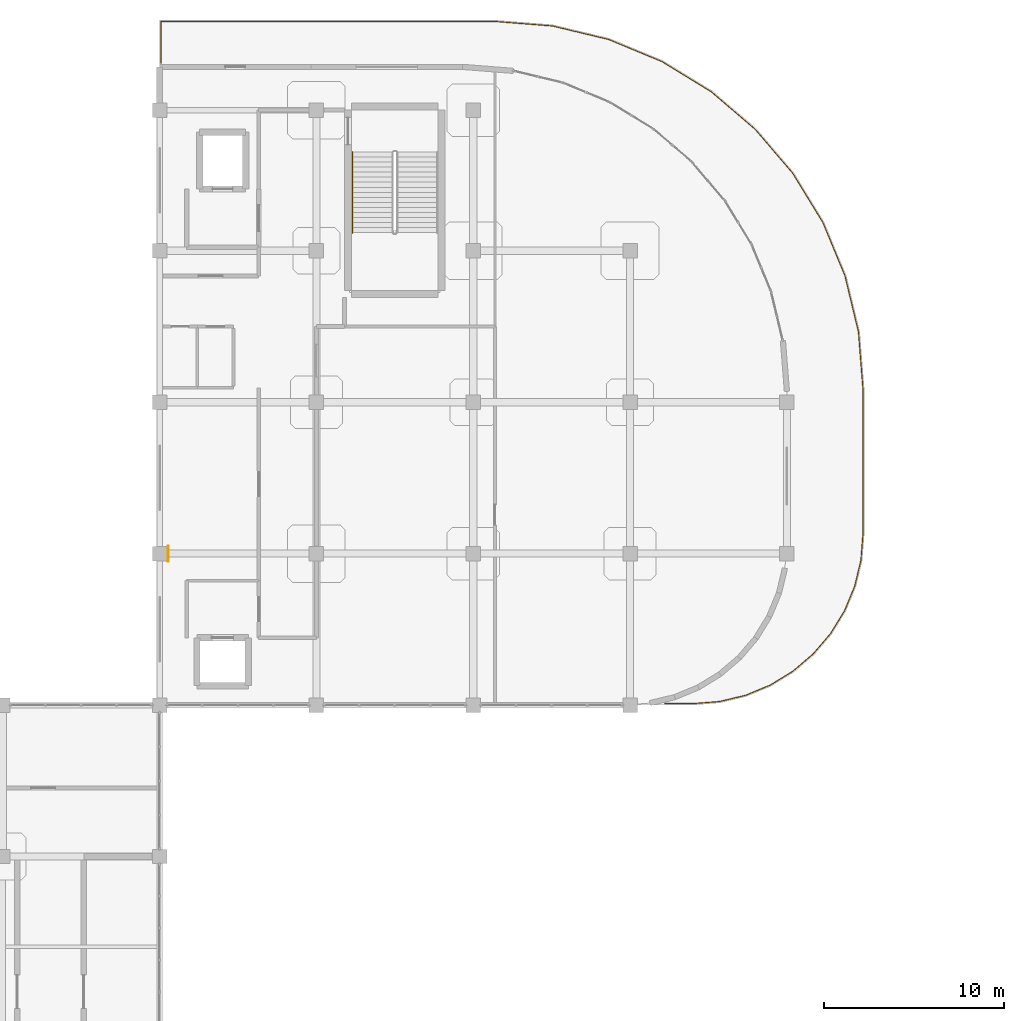
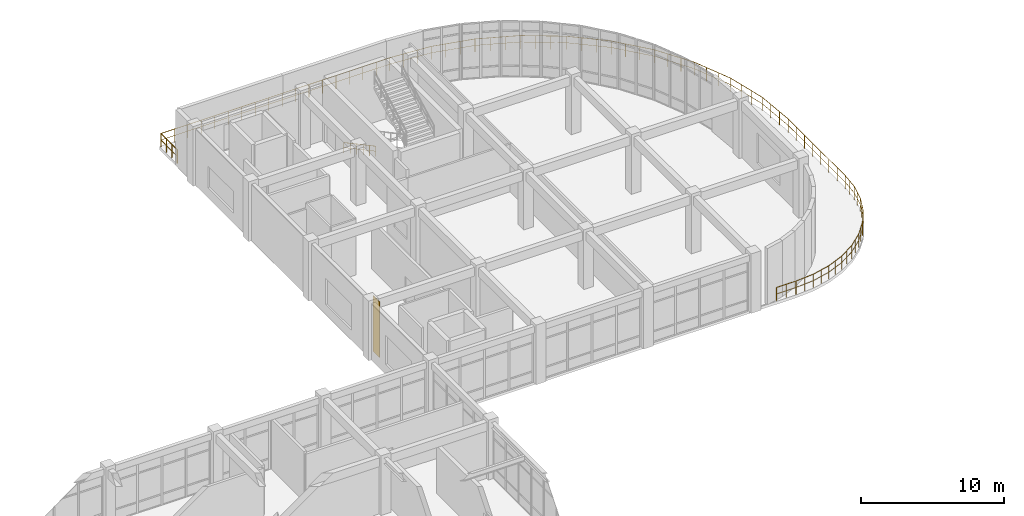
# One storey, part 94 of 96: 3 railings, 1 covering.
"""IFC4 building model written with IfcOpenShell, lengths in metres."""

from ifc_helpers import new_model, si_unit, derived_unit, direction, frame, origin, origin_2d, place, context, subcontext, project, spatial, rectangle, circle, extrude, material, layer, layer_set, type_object, element, save


model = new_model("IFC4")

# Units and contexts
model_context = context("Model", 3, precision=1e-05, world=origin(), true_north=direction((0.0, 1.0)))
body_context = subcontext(model_context, "Body", "Model", "MODEL_VIEW")
ifc_project = project(units=[si_unit("LENGTHUNIT", "METRE"), si_unit("AREAUNIT", "SQUARE_METRE"), si_unit("VOLUMEUNIT", "CUBIC_METRE"), si_unit("PLANEANGLEUNIT", "RADIAN"), si_unit("MASSUNIT", "GRAM", prefix="KILO"), derived_unit("THERMALTRANSMITTANCEUNIT", [(si_unit("MASSUNIT", "GRAM", prefix="KILO"), 1), (si_unit("TIMEUNIT", "SECOND"), -3), (si_unit("THERMODYNAMICTEMPERATUREUNIT", "KELVIN"), -1)])], contexts=[model_context])

# Site, building, storey
site_placement = place(None, origin())
site = spatial("IfcSite", under=ifc_project, at=site_placement, CompositionType="ELEMENT")
building_placement = place(site_placement, origin())
building = spatial("IfcBuilding", under=site, at=building_placement, Name="Qinzheling Arcade Emporium", CompositionType="ELEMENT")
storey_placement = place(building_placement, frame((0.0, 0.0, 21.60009765625)))
storey = spatial("IfcBuildingStorey", under=building, at=storey_placement, Name="L05", CompositionType="ELEMENT", Elevation=21.60009765625)

# Railings
ifc_material_1 = material(Name="Architectural bronze rail and laminated safety glass", Category="glass")
railing_type_1 = type_object("IfcRailingType", Name="Curved Terrace Laminated Glass and Bronze Balustrade 1150", PredefinedType="BALUSTRADE", material=ifc_material_1)
railing_1_placement = place(storey_placement, frame((104.47998046875, 111.719970703125, 0.0)))
element("IfcRailing", 1, at=railing_1_placement, inside=storey, type_object=railing_type_1, Name="Terrace Balustrade RLG-TER-L05-012", PredefinedType="BALUSTRADE", context=body_context, shape_type="SweptSolid", body=[
    extrude(circle(Radius=0.02392578125, at=origin_2d()), frame((0.0, 0.0, 1.1259765625), z_axis=(1.0, 0.0, 0.0), x_axis=(0.0, 1.0, 0.0)), (0.0, 0.0, 1.0), 18.51708984375),
    extrude(circle(Radius=0.01611328125, at=origin_2d()), frame((0.0, 0.0, 0.574951171875), z_axis=(1.0, 0.0, 0.0), x_axis=(0.0, 1.0, 0.0)), (0.0, 0.0, 1.0), 18.51708984375),
    extrude(circle(Radius=0.02392578125, at=origin_2d()), frame((18.51708984375, 0.0, 1.1259765625), z_axis=(0.996932789823, -0.07826245956, 0.0), x_axis=(0.07826245956, 0.996932789823, 0.0)), (0.0, 0.0, 1.0), 3.206787109375),
    extrude(circle(Radius=0.01611328125, at=origin_2d()), frame((18.51708984375, 0.0, 0.574951171875), z_axis=(0.996932789823, -0.07826245956, 0.0), x_axis=(0.07826245956, 0.996932789823, 0.0)), (0.0, 0.0, 1.0), 3.206787109375),
    extrude(circle(Radius=0.02392578125, at=origin_2d()), frame((21.714111328125, -0.2509765625, 1.1259765625), z_axis=(0.972372085607, -0.233436344927, 0.0), x_axis=(0.233436344927, 0.972372085607, 0.0)), (0.0, 0.0, 1.0), 3.20458984375),
    extrude(circle(Radius=0.01611328125, at=origin_2d()), frame((21.714111328125, -0.2509765625, 0.574951171875), z_axis=(0.972372085607, -0.233436344927, 0.0), x_axis=(0.233436344927, 0.972372085607, 0.0)), (0.0, 0.0, 1.0), 3.20458984375),
    extrude(circle(Radius=0.02392578125, at=origin_2d()), frame((24.830078125, -0.9990234375, 1.1259765625), z_axis=(0.923814402543, -0.382840632188, 0.0), x_axis=(0.382840632188, 0.923814402543, 0.0)), (0.0, 0.0, 1.0), 3.205078125),
    extrude(circle(Radius=0.01611328125, at=origin_2d()), frame((24.830078125, -0.9990234375, 0.574951171875), z_axis=(0.923814402543, -0.382840632188, 0.0), x_axis=(0.382840632188, 0.923814402543, 0.0)), (0.0, 0.0, 1.0), 3.205078125),
    extrude(circle(Radius=0.02392578125, at=origin_2d()), frame((27.791015625, -2.22607421875, 1.1259765625), z_axis=(0.85268228432, -0.522429824959, 0.0), x_axis=(0.522429824959, 0.85268228432, 0.0)), (0.0, 0.0, 1.0), 3.203857421875),
    extrude(circle(Radius=0.01611328125, at=origin_2d()), frame((27.791015625, -2.22607421875, 0.574951171875), z_axis=(0.85268228432, -0.522429824959, 0.0), x_axis=(0.522429824959, 0.85268228432, 0.0)), (0.0, 0.0, 1.0), 3.203857421875),
    extrude(circle(Radius=0.02392578125, at=origin_2d()), frame((30.52294921875, -3.89990234375, 1.1259765625), z_axis=(0.760331340689, -0.649535412711, 0.0), x_axis=(0.649535412711, 0.760331340689, 0.0)), (0.0, 0.0, 1.0), 3.203857421875),
    extrude(circle(Radius=0.01611328125, at=origin_2d()), frame((30.52294921875, -3.89990234375, 0.574951171875), z_axis=(0.760331340689, -0.649535412711, 0.0), x_axis=(0.649535412711, 0.760331340689, 0.0)), (0.0, 0.0, 1.0), 3.203857421875),
    extrude(circle(Radius=0.02392578125, at=origin_2d()), frame((32.958984375, -5.98095703125, 1.1259765625), z_axis=(0.649535412711, -0.760331340689, 0.0), x_axis=(0.760331340689, 0.649535412711, 0.0)), (0.0, 0.0, 1.0), 3.203857421875),
    extrude(circle(Radius=0.01611328125, at=origin_2d()), frame((32.958984375, -5.98095703125, 0.574951171875), z_axis=(0.649535412711, -0.760331340689, 0.0), x_axis=(0.760331340689, 0.649535412711, 0.0)), (0.0, 0.0, 1.0), 3.203857421875),
    extrude(circle(Radius=0.02392578125, at=origin_2d()), frame((35.0400390625, -8.4169921875, 1.1259765625), z_axis=(0.522485224441, -0.852648339142, 0.0), x_axis=(0.852648339142, 0.522485224441, 0.0)), (0.0, 0.0, 1.0), 3.2041015625),
    extrude(circle(Radius=0.01611328125, at=origin_2d()), frame((35.0400390625, -8.4169921875, 0.574951171875), z_axis=(0.522485224441, -0.852648339142, 0.0), x_axis=(0.852648339142, 0.522485224441, 0.0)), (0.0, 0.0, 1.0), 3.2041015625),
    extrude(circle(Radius=0.02392578125, at=origin_2d()), frame((36.714111328125, -11.14892578125, 1.1259765625), z_axis=(0.382775621615, -0.923841341085, 0.0), x_axis=(0.923841341085, 0.382775621615, 0.0)), (0.0, 0.0, 1.0), 3.205078125),
    extrude(circle(Radius=0.01611328125, at=origin_2d()), frame((36.714111328125, -11.14892578125, 0.574951171875), z_axis=(0.382775621615, -0.923841341085, 0.0), x_axis=(0.923841341085, 0.382775621615, 0.0)), (0.0, 0.0, 1.0), 3.205078125),
    extrude(circle(Radius=0.02392578125, at=origin_2d()), frame((37.94091796875, -14.10986328125, 1.1259765625), z_axis=(0.233419052759, -0.972376236757, 0.0), x_axis=(0.972376236757, 0.233419052759, 0.0)), (0.0, 0.0, 1.0), 3.204833984375),
    extrude(circle(Radius=0.01611328125, at=origin_2d()), frame((37.94091796875, -14.10986328125, 0.574951171875), z_axis=(0.233419052759, -0.972376236757, 0.0), x_axis=(0.972376236757, 0.233419052759, 0.0)), (0.0, 0.0, 1.0), 3.204833984375),
    extrude(circle(Radius=0.02392578125, at=origin_2d()), frame((38.68896484375, -17.22607421875, 1.1259765625), z_axis=(0.078268399918, -0.996932323467, 0.0), x_axis=(0.996932323467, 0.078268399918, 0.0)), (0.0, 0.0, 1.0), 3.20654296875),
    extrude(circle(Radius=0.01611328125, at=origin_2d()), frame((38.68896484375, -17.22607421875, 0.574951171875), z_axis=(0.078268399918, -0.996932323467, 0.0), x_axis=(0.996932323467, 0.078268399918, 0.0)), (0.0, 0.0, 1.0), 3.20654296875),
    extrude(circle(Radius=0.02392578125, at=origin_2d()), frame((38.93994140625, -20.4228515625, 1.1259765625), z_axis=(0.0, -1.0, 0.0), x_axis=(1.0, 0.0, 0.0)), (0.0, 0.0, 1.0), 7.994140625),
    extrude(circle(Radius=0.01611328125, at=origin_2d()), frame((38.93994140625, -20.4228515625, 0.574951171875), z_axis=(0.0, -1.0, 0.0), x_axis=(1.0, 0.0, 0.0)), (0.0, 0.0, 1.0), 7.994140625),
    extrude(circle(Radius=0.02392578125, at=origin_2d()), frame((38.93994140625, -28.4169921875, 1.1259765625), z_axis=(-0.078322993226, -0.996928035884, 0.0), x_axis=(0.996928035884, -0.078322993226, 0.0)), (0.0, 0.0, 1.0), 1.480712890625),
    extrude(circle(Radius=0.01611328125, at=origin_2d()), frame((38.93994140625, -28.4169921875, 0.574951171875), z_axis=(-0.078322993226, -0.996928035884, 0.0), x_axis=(0.996928035884, -0.078322993226, 0.0)), (0.0, 0.0, 1.0), 1.480712890625),
    extrude(circle(Radius=0.02392578125, at=origin_2d()), frame((38.823974609375, -29.89306640625, 1.1259765625), z_axis=(-0.233279289306, -0.972409776371, 0.0), x_axis=(0.972409776371, -0.233279289306, 0.0)), (0.0, 0.0, 1.0), 1.478759765625),
    extrude(circle(Radius=0.01611328125, at=origin_2d()), frame((38.823974609375, -29.89306640625, 0.574951171875), z_axis=(-0.233279289306, -0.972409776371, 0.0), x_axis=(0.972409776371, -0.233279289306, 0.0)), (0.0, 0.0, 1.0), 1.478759765625),
    extrude(circle(Radius=0.02392578125, at=origin_2d()), frame((38.47900390625, -31.3310546875, 1.1259765625), z_axis=(-0.382750394355, -0.923851793104, 0.0), x_axis=(0.923851793104, -0.382750394355, 0.0)), (0.0, 0.0, 1.0), 1.478515625),
    extrude(circle(Radius=0.01611328125, at=origin_2d()), frame((38.47900390625, -31.3310546875, 0.574951171875), z_axis=(-0.382750394355, -0.923851793104, 0.0), x_axis=(0.923851793104, -0.382750394355, 0.0)), (0.0, 0.0, 1.0), 1.478515625),
    extrude(circle(Radius=0.02392578125, at=origin_2d()), frame((37.9130859375, -32.697021484375, 1.1259765625), z_axis=(-0.522418703476, -0.852689098241, 0.0), x_axis=(0.852689098241, -0.522418703476, 0.0)), (0.0, 0.0, 1.0), 1.477783203125),
    extrude(circle(Radius=0.01611328125, at=origin_2d()), frame((37.9130859375, -32.697021484375, 0.574951171875), z_axis=(-0.522418703476, -0.852689098241, 0.0), x_axis=(0.852689098241, -0.522418703476, 0.0)), (0.0, 0.0, 1.0), 1.477783203125),
    extrude(circle(Radius=0.02392578125, at=origin_2d()), frame((37.14111328125, -33.95703125, 1.1259765625), z_axis=(-0.649525633858, -0.760339694453, 0.0), x_axis=(0.760339694453, -0.649525633858, 0.0)), (0.0, 0.0, 1.0), 1.478271484375),
    extrude(circle(Radius=0.01611328125, at=origin_2d()), frame((37.14111328125, -33.95703125, 0.574951171875), z_axis=(-0.649525633858, -0.760339694453, 0.0), x_axis=(0.760339694453, -0.649525633858, 0.0)), (0.0, 0.0, 1.0), 1.478271484375),
    extrude(circle(Radius=0.02392578125, at=origin_2d()), frame((36.180908203125, -35.0810546875, 1.1259765625), z_axis=(-0.760351583854, -0.649511715776, 0.0), x_axis=(0.649511715776, -0.760351583854, 0.0)), (0.0, 0.0, 1.0), 1.47802734375),
    extrude(circle(Radius=0.01611328125, at=origin_2d()), frame((36.180908203125, -35.0810546875, 0.574951171875), z_axis=(-0.760351583854, -0.649511715776, 0.0), x_axis=(0.649511715776, -0.760351583854, 0.0)), (0.0, 0.0, 1.0), 1.47802734375),
    extrude(circle(Radius=0.02392578125, at=origin_2d()), frame((35.05712890625, -36.041015625, 1.1259765625), z_axis=(-0.852689098241, -0.522418703476, 0.0), x_axis=(0.522418703476, -0.852689098241, 0.0)), (0.0, 0.0, 1.0), 1.477783203125),
    extrude(circle(Radius=0.01611328125, at=origin_2d()), frame((35.05712890625, -36.041015625, 0.574951171875), z_axis=(-0.852689098241, -0.522418703476, 0.0), x_axis=(0.522418703476, -0.852689098241, 0.0)), (0.0, 0.0, 1.0), 1.477783203125),
    extrude(circle(Radius=0.02392578125, at=origin_2d()), frame((33.797119140625, -36.81298828125, 1.1259765625), z_axis=(-0.923875977438, -0.382692014958, 0.0), x_axis=(0.382692014958, -0.923875977438, 0.0)), (0.0, 0.0, 1.0), 1.478759765625),
    extrude(circle(Radius=0.01611328125, at=origin_2d()), frame((33.797119140625, -36.81298828125, 0.574951171875), z_axis=(-0.923875977438, -0.382692014958, 0.0), x_axis=(0.382692014958, -0.923875977438, 0.0)), (0.0, 0.0, 1.0), 1.478759765625),
    extrude(circle(Radius=0.02392578125, at=origin_2d()), frame((32.430908203125, -37.37890625, 1.1259765625), z_axis=(-0.972409776371, -0.233279289306, 0.0), x_axis=(0.233279289306, -0.972409776371, 0.0)), (0.0, 0.0, 1.0), 1.478759765625),
    extrude(circle(Radius=0.01611328125, at=origin_2d()), frame((32.430908203125, -37.37890625, 0.574951171875), z_axis=(-0.972409776371, -0.233279289306, 0.0), x_axis=(0.233279289306, -0.972409776371, 0.0)), (0.0, 0.0, 1.0), 1.478759765625),
    extrude(circle(Radius=0.02392578125, at=origin_2d()), frame((30.992919921875, -37.723876953125, 1.1259765625), z_axis=(-0.996914131543, -0.078499772806, 0.0), x_axis=(0.078499772806, -0.996914131543, 0.0)), (0.0, 0.0, 1.0), 1.48046875),
    extrude(circle(Radius=0.01611328125, at=origin_2d()), frame((30.992919921875, -37.723876953125, 0.574951171875), z_axis=(-0.996914131543, -0.078499772806, 0.0), x_axis=(0.078499772806, -0.996914131543, 0.0)), (0.0, 0.0, 1.0), 1.48046875),
    extrude(circle(Radius=0.02392578125, at=origin_2d()), frame((29.51708984375, -37.840087890625, 1.1259765625), z_axis=(-1.0, 0.0, 0.0), x_axis=(0.0, -1.0, 0.0)), (0.0, 0.0, 1.0), 1.573974609375),
    extrude(circle(Radius=0.01611328125, at=origin_2d()), frame((29.51708984375, -37.840087890625, 0.574951171875), z_axis=(-1.0, 0.0, 0.0), x_axis=(0.0, -1.0, 0.0)), (0.0, 0.0, 1.0), 1.573974609375),
    extrude(circle(Radius=0.02099609375, at=origin_2d()), origin(), (0.0, 0.0, 1.0), 1.101806640625),
    extrude(circle(Radius=0.02099609375, at=origin_2d()), frame((1.08935546875, 0.0, 0.0)), (0.0, 0.0, 1.0), 1.101806640625),
    extrude(circle(Radius=0.02099609375, at=origin_2d()), frame((2.178466796875, 0.0, 0.0)), (0.0, 0.0, 1.0), 1.101806640625),
    extrude(circle(Radius=0.02099609375, at=origin_2d()), frame((3.267822265625, 0.0, 0.0)), (0.0, 0.0, 1.0), 1.101806640625),
    extrude(circle(Radius=0.02099609375, at=origin_2d()), frame((4.35693359375, 0.0, 0.0)), (0.0, 0.0, 1.0), 1.101806640625),
    extrude(circle(Radius=0.02099609375, at=origin_2d()), frame((5.4462890625, 0.0, 0.0)), (0.0, 0.0, 1.0), 1.101806640625),
    extrude(circle(Radius=0.02099609375, at=origin_2d()), frame((6.535400390625, 0.0, 0.0)), (0.0, 0.0, 1.0), 1.101806640625),
    extrude(circle(Radius=0.02099609375, at=origin_2d()), frame((7.624755859375, 0.0, 0.0)), (0.0, 0.0, 1.0), 1.101806640625),
    extrude(circle(Radius=0.02099609375, at=origin_2d()), frame((8.7138671875, 0.0, 0.0)), (0.0, 0.0, 1.0), 1.101806640625),
    extrude(circle(Radius=0.02099609375, at=origin_2d()), frame((9.80322265625, 0.0, 0.0)), (0.0, 0.0, 1.0), 1.101806640625),
    extrude(circle(Radius=0.02099609375, at=origin_2d()), frame((10.892333984375, 0.0, 0.0)), (0.0, 0.0, 1.0), 1.101806640625),
    extrude(circle(Radius=0.02099609375, at=origin_2d()), frame((11.981689453125, 0.0, 0.0)), (0.0, 0.0, 1.0), 1.101806640625),
    extrude(circle(Radius=0.02099609375, at=origin_2d()), frame((13.07080078125, 0.0, 0.0)), (0.0, 0.0, 1.0), 1.101806640625),
    extrude(circle(Radius=0.02099609375, at=origin_2d()), frame((14.16015625, 0.0, 0.0)), (0.0, 0.0, 1.0), 1.101806640625),
    extrude(circle(Radius=0.02099609375, at=origin_2d()), frame((15.249267578125, 0.0, 0.0)), (0.0, 0.0, 1.0), 1.101806640625),
    extrude(circle(Radius=0.02099609375, at=origin_2d()), frame((16.338623046875, 0.0, 0.0)), (0.0, 0.0, 1.0), 1.101806640625),
    extrude(circle(Radius=0.02099609375, at=origin_2d()), frame((17.427734375, 0.0, 0.0)), (0.0, 0.0, 1.0), 1.101806640625),
    extrude(circle(Radius=0.02099609375, at=origin_2d()), frame((18.51708984375, 0.0, 0.0)), (0.0, 0.0, 1.0), 1.101806640625),
    extrude(circle(Radius=0.02099609375, at=origin_2d()), frame((19.582763671875, -0.083740234375, 0.0)), (0.0, 0.0, 1.0), 1.101806640625),
    extrude(circle(Radius=0.02099609375, at=origin_2d()), frame((20.6484375, -0.167236328125, 0.0)), (0.0, 0.0, 1.0), 1.101806640625),
    extrude(circle(Radius=0.02099609375, at=origin_2d()), frame((21.714111328125, -0.2509765625, 0.0)), (0.0, 0.0, 1.0), 1.101806640625),
    extrude(circle(Radius=0.02099609375, at=origin_2d()), frame((22.752685546875, -0.500244140625, 0.0)), (0.0, 0.0, 1.0), 1.101806640625),
    extrude(circle(Radius=0.02099609375, at=origin_2d()), frame((23.79150390625, -0.749755859375, 0.0)), (0.0, 0.0, 1.0), 1.101806640625),
    extrude(circle(Radius=0.02099609375, at=origin_2d()), frame((24.830078125, -0.9990234375, 0.0)), (0.0, 0.0, 1.0), 1.101806640625),
    extrude(circle(Radius=0.02099609375, at=origin_2d()), frame((25.817138671875, -1.407958984375, 0.0)), (0.0, 0.0, 1.0), 1.101806640625),
    extrude(circle(Radius=0.02099609375, at=origin_2d()), frame((26.803955078125, -1.817138671875, 0.0)), (0.0, 0.0, 1.0), 1.101806640625),
    extrude(circle(Radius=0.02099609375, at=origin_2d()), frame((27.791015625, -2.22607421875, 0.0)), (0.0, 0.0, 1.0), 1.101806640625),
    extrude(circle(Radius=0.02099609375, at=origin_2d()), frame((28.70166015625, -2.783935546875, 0.0)), (0.0, 0.0, 1.0), 1.101806640625),
    extrude(circle(Radius=0.02099609375, at=origin_2d()), frame((29.6123046875, -3.342041015625, 0.0)), (0.0, 0.0, 1.0), 1.101806640625),
    extrude(circle(Radius=0.02099609375, at=origin_2d()), frame((30.52294921875, -3.89990234375, 0.0)), (0.0, 0.0, 1.0), 1.101806640625),
    extrude(circle(Radius=0.02099609375, at=origin_2d()), frame((31.3349609375, -4.593505859375, 0.0)), (0.0, 0.0, 1.0), 1.101806640625),
    extrude(circle(Radius=0.02099609375, at=origin_2d()), frame((32.14697265625, -5.287353515625, 0.0)), (0.0, 0.0, 1.0), 1.101806640625),
    extrude(circle(Radius=0.02099609375, at=origin_2d()), frame((32.958984375, -5.98095703125, 0.0)), (0.0, 0.0, 1.0), 1.101806640625),
    extrude(circle(Radius=0.02099609375, at=origin_2d()), frame((33.652587890625, -6.79296875, 0.0)), (0.0, 0.0, 1.0), 1.101806640625),
    extrude(circle(Radius=0.02099609375, at=origin_2d()), frame((34.346435546875, -7.60498046875, 0.0)), (0.0, 0.0, 1.0), 1.101806640625),
    extrude(circle(Radius=0.02099609375, at=origin_2d()), frame((35.0400390625, -8.4169921875, 0.0)), (0.0, 0.0, 1.0), 1.101806640625),
    extrude(circle(Radius=0.02099609375, at=origin_2d()), frame((35.59814453125, -9.32763671875, 0.0)), (0.0, 0.0, 1.0), 1.101806640625),
    extrude(circle(Radius=0.02099609375, at=origin_2d()), frame((36.156005859375, -10.23828125, 0.0)), (0.0, 0.0, 1.0), 1.101806640625),
    extrude(circle(Radius=0.02099609375, at=origin_2d()), frame((36.714111328125, -11.14892578125, 0.0)), (0.0, 0.0, 1.0), 1.101806640625),
    extrude(circle(Radius=0.02099609375, at=origin_2d()), frame((37.123046875, -12.135986328125, 0.0)), (0.0, 0.0, 1.0), 1.101806640625),
    extrude(circle(Radius=0.02099609375, at=origin_2d()), frame((37.531982421875, -13.122802734375, 0.0)), (0.0, 0.0, 1.0), 1.101806640625),
    extrude(circle(Radius=0.02099609375, at=origin_2d()), frame((37.94091796875, -14.10986328125, 0.0)), (0.0, 0.0, 1.0), 1.101806640625),
    extrude(circle(Radius=0.02099609375, at=origin_2d()), frame((38.190185546875, -15.148681640625, 0.0)), (0.0, 0.0, 1.0), 1.101806640625),
    extrude(circle(Radius=0.02099609375, at=origin_2d()), frame((38.439697265625, -16.187255859375, 0.0)), (0.0, 0.0, 1.0), 1.101806640625),
    extrude(circle(Radius=0.02099609375, at=origin_2d()), frame((38.68896484375, -17.22607421875, 0.0)), (0.0, 0.0, 1.0), 1.101806640625),
    extrude(circle(Radius=0.02099609375, at=origin_2d()), frame((38.772705078125, -18.291748046875, 0.0)), (0.0, 0.0, 1.0), 1.101806640625),
    extrude(circle(Radius=0.02099609375, at=origin_2d()), frame((38.856201171875, -19.357177734375, 0.0)), (0.0, 0.0, 1.0), 1.101806640625),
    extrude(circle(Radius=0.02099609375, at=origin_2d()), frame((38.93994140625, -20.4228515625, 0.0)), (0.0, 0.0, 1.0), 1.101806640625),
    extrude(circle(Radius=0.02099609375, at=origin_2d()), frame((38.93994140625, -21.56494140625, 0.0)), (0.0, 0.0, 1.0), 1.101806640625),
    extrude(circle(Radius=0.02099609375, at=origin_2d()), frame((38.93994140625, -22.706787109375, 0.0)), (0.0, 0.0, 1.0), 1.101806640625),
    extrude(circle(Radius=0.02099609375, at=origin_2d()), frame((38.93994140625, -23.848876953125, 0.0)), (0.0, 0.0, 1.0), 1.101806640625),
    extrude(circle(Radius=0.02099609375, at=origin_2d()), frame((38.93994140625, -24.990966796875, 0.0)), (0.0, 0.0, 1.0), 1.101806640625),
    extrude(circle(Radius=0.02099609375, at=origin_2d()), frame((38.93994140625, -26.133056640625, 0.0)), (0.0, 0.0, 1.0), 1.101806640625),
    extrude(circle(Radius=0.02099609375, at=origin_2d()), frame((38.93994140625, -27.27490234375, 0.0)), (0.0, 0.0, 1.0), 1.101806640625),
    extrude(circle(Radius=0.02099609375, at=origin_2d()), frame((38.93994140625, -28.4169921875, 0.0)), (0.0, 0.0, 1.0), 1.101806640625),
    extrude(circle(Radius=0.02099609375, at=origin_2d()), frame((38.8818359375, -29.155029296875, 0.0)), (0.0, 0.0, 1.0), 1.101806640625),
    extrude(circle(Radius=0.02099609375, at=origin_2d()), frame((38.823974609375, -29.89306640625, 0.0)), (0.0, 0.0, 1.0), 1.101806640625),
    extrude(circle(Radius=0.02099609375, at=origin_2d()), frame((38.6513671875, -30.612060546875, 0.0)), (0.0, 0.0, 1.0), 1.101806640625),
    extrude(circle(Radius=0.02099609375, at=origin_2d()), frame((38.47900390625, -31.3310546875, 0.0)), (0.0, 0.0, 1.0), 1.101806640625),
    extrude(circle(Radius=0.02099609375, at=origin_2d()), frame((38.196044921875, -32.01416015625, 0.0)), (0.0, 0.0, 1.0), 1.101806640625),
    extrude(circle(Radius=0.02099609375, at=origin_2d()), frame((37.9130859375, -32.697021484375, 0.0)), (0.0, 0.0, 1.0), 1.101806640625),
    extrude(circle(Radius=0.02099609375, at=origin_2d()), frame((37.527099609375, -33.3271484375, 0.0)), (0.0, 0.0, 1.0), 1.101806640625),
    extrude(circle(Radius=0.02099609375, at=origin_2d()), frame((37.14111328125, -33.95703125, 0.0)), (0.0, 0.0, 1.0), 1.101806640625),
    extrude(circle(Radius=0.02099609375, at=origin_2d()), frame((36.6611328125, -34.51904296875, 0.0)), (0.0, 0.0, 1.0), 1.101806640625),
    extrude(circle(Radius=0.02099609375, at=origin_2d()), frame((36.180908203125, -35.0810546875, 0.0)), (0.0, 0.0, 1.0), 1.101806640625),
    extrude(circle(Radius=0.02099609375, at=origin_2d()), frame((35.619140625, -35.56103515625, 0.0)), (0.0, 0.0, 1.0), 1.101806640625),
    extrude(circle(Radius=0.02099609375, at=origin_2d()), frame((35.05712890625, -36.041015625, 0.0)), (0.0, 0.0, 1.0), 1.101806640625),
    extrude(circle(Radius=0.02099609375, at=origin_2d()), frame((34.42724609375, -36.427001953125, 0.0)), (0.0, 0.0, 1.0), 1.101806640625),
    extrude(circle(Radius=0.02099609375, at=origin_2d()), frame((33.797119140625, -36.81298828125, 0.0)), (0.0, 0.0, 1.0), 1.101806640625),
    extrude(circle(Radius=0.02099609375, at=origin_2d()), frame((33.114013671875, -37.095947265625, 0.0)), (0.0, 0.0, 1.0), 1.101806640625),
    extrude(circle(Radius=0.02099609375, at=origin_2d()), frame((32.430908203125, -37.37890625, 0.0)), (0.0, 0.0, 1.0), 1.101806640625),
    extrude(circle(Radius=0.02099609375, at=origin_2d()), frame((31.7119140625, -37.55126953125, 0.0)), (0.0, 0.0, 1.0), 1.101806640625),
    extrude(circle(Radius=0.02099609375, at=origin_2d()), frame((30.992919921875, -37.723876953125, 0.0)), (0.0, 0.0, 1.0), 1.101806640625),
    extrude(circle(Radius=0.02099609375, at=origin_2d()), frame((30.2548828125, -37.781982421875, 0.0)), (0.0, 0.0, 1.0), 1.101806640625),
    extrude(circle(Radius=0.02099609375, at=origin_2d()), frame((29.51708984375, -37.840087890625, 0.0)), (0.0, 0.0, 1.0), 1.101806640625),
    extrude(circle(Radius=0.02099609375, at=origin_2d()), frame((28.72998046875, -37.840087890625, 0.0)), (0.0, 0.0, 1.0), 1.101806640625),
    extrude(circle(Radius=0.02099609375, at=origin_2d()), frame((27.943115234375, -37.840087890625, 0.0)), (0.0, 0.0, 1.0), 1.101806640625),
])
railing_2_placement = place(storey_placement, frame((104.47998046875, 109.419921875, 0.0)))
element("IfcRailing", 2, at=railing_2_placement, inside=storey, type_object=railing_type_1, Name="Terrace Balustrade RLG-TER-L05-013", PredefinedType="BALUSTRADE", context=body_context, shape_type="SweptSolid", body=[
    extrude(circle(Radius=0.02392578125, at=origin_2d()), frame((0.0, 0.0, 1.1259765625), z_axis=(0.0, 1.0, 0.0), x_axis=(-1.0, 0.0, 0.0)), (0.0, 0.0, 1.0), 2.300048828125),
    extrude(circle(Radius=0.01611328125, at=origin_2d()), frame((0.0, 0.0, 0.574951171875), z_axis=(0.0, 1.0, 0.0), x_axis=(-1.0, 0.0, 0.0)), (0.0, 0.0, 1.0), 2.300048828125),
    extrude(circle(Radius=0.02099609375, at=origin_2d()), origin(), (0.0, 0.0, 1.0), 1.101806640625),
    extrude(circle(Radius=0.02099609375, at=origin_2d()), frame((0.0, 0.7666015625, 0.0)), (0.0, 0.0, 1.0), 1.101806640625),
    extrude(circle(Radius=0.02099609375, at=origin_2d()), frame((0.0, 1.533447265625, 0.0)), (0.0, 0.0, 1.0), 1.101806640625),
    extrude(circle(Radius=0.02099609375, at=origin_2d()), frame((0.0, 2.300048828125, 0.0)), (0.0, 0.0, 1.0), 1.101806640625),
])

# Covering
ifc_material_2 = material(Name="Glazed cream terracotta rainscreen cladding", Category="masonry")
ifc_layer = layer(ifc_material_2, 0.044921875, Name="Glazed cream terracotta rainscreen cladding", Category="masonry")
ifc_layer_set = layer_set([ifc_layer], Name="Glazed cream terracotta rainscreen cladding")
covering_type = type_object("IfcCoveringType", Name="Glazed Terracotta Pier Cladding Casing 45", PredefinedType="CLADDING", material=ifc_layer_set)
covering_placement = place(storey_placement, frame((104.8798828125, 82.199951171875, 0.0), z_axis=(0.0, 0.0, 1.0), x_axis=(1.0, 0.0, 0.0)))
element("IfcCovering", 3, at=covering_placement, inside=storey, type_object=covering_type, Name="Terracotta Pier Cladding L05 10", PredefinedType="CLADDING", context=body_context, shape_type="SweptSolid", body=[
    extrude(rectangle(XDim=0.044921875, YDim=0.89990234375, at=origin_2d()), origin(), (0.0, 0.0, 1.0), 4.75),
])

# Railing
ifc_material_3 = material(Name="Brushed stainless steel 304", Category="steel")
railing_type_2 = type_object("IfcRailingType", Name="Stainless Steel Wall Handrail 900", PredefinedType="HANDRAIL", material=ifc_material_3)
railing_3_placement = place(storey_placement, frame((115.10498046875, 104.47998046875, 0.14990234375)))
element("IfcRailing", 4, at=railing_3_placement, inside=storey, type_object=railing_type_2, Name="L05 ST08 stair handrail 1", PredefinedType="HANDRAIL", context=body_context, shape_type="SweptSolid", body=[
    extrude(circle(Radius=0.02392578125, at=origin_2d()), frame((0.0, 0.0, 0.8759765625), z_axis=(0.0, -0.881487111273, 0.472208081951), x_axis=(1.0, 0.0, 0.0)), (0.0, 0.0, 1.0), 5.082275390625),
    extrude(circle(Radius=0.01611328125, at=origin_2d()), frame((0.0, 0.0, 0.449951171875), z_axis=(0.0, -0.881487111273, 0.472208081951), x_axis=(1.0, 0.0, 0.0)), (0.0, 0.0, 1.0), 5.082275390625),
    extrude(circle(Radius=0.02099609375, at=origin_2d()), origin(), (0.0, 0.0, 1.0), 0.851806640625),
    extrude(circle(Radius=0.02099609375, at=origin_2d()), frame((0.0, -0.89599609375, 0.47998046875)), (0.0, 0.0, 1.0), 0.851806640625),
    extrude(circle(Radius=0.02099609375, at=origin_2d()), frame((0.0, -1.7919921875, 0.9599609375)), (0.0, 0.0, 1.0), 0.851806640625),
    extrude(circle(Radius=0.02099609375, at=origin_2d()), frame((0.0, -2.68798828125, 1.43994140625)), (0.0, 0.0, 1.0), 0.851806640625),
    extrude(circle(Radius=0.02099609375, at=origin_2d()), frame((0.0, -3.583984375, 1.919921875)), (0.0, 0.0, 1.0), 0.851806640625),
    extrude(circle(Radius=0.02099609375, at=origin_2d()), frame((0.0, -4.47998046875, 2.39990234375)), (0.0, 0.0, 1.0), 0.851806640625),
])

save(model, "model.ifc")
